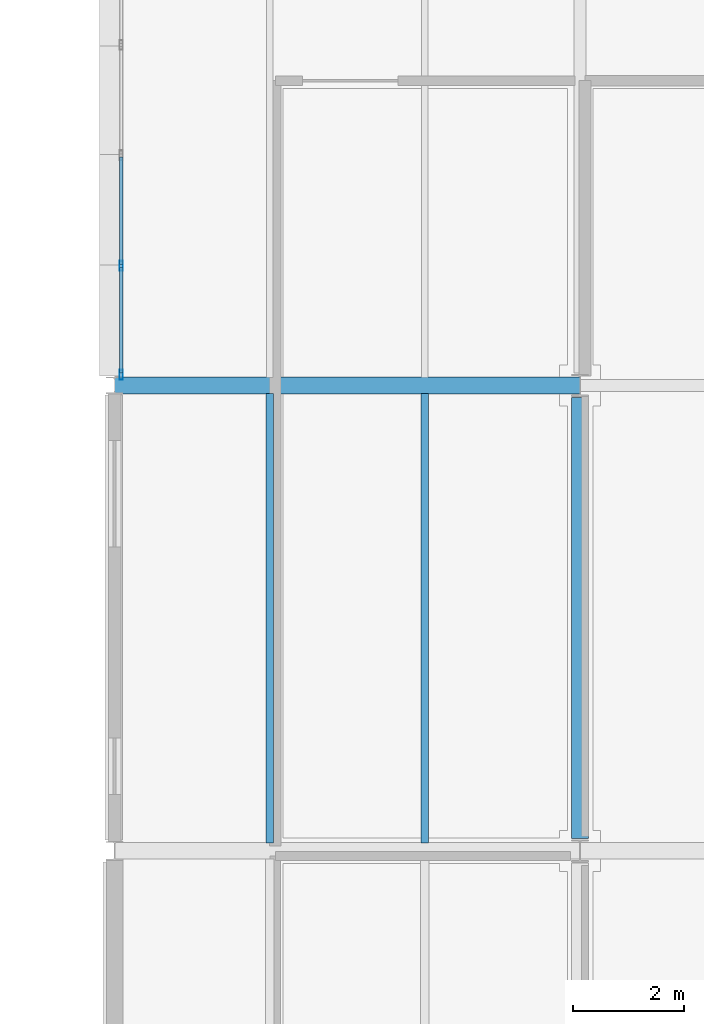
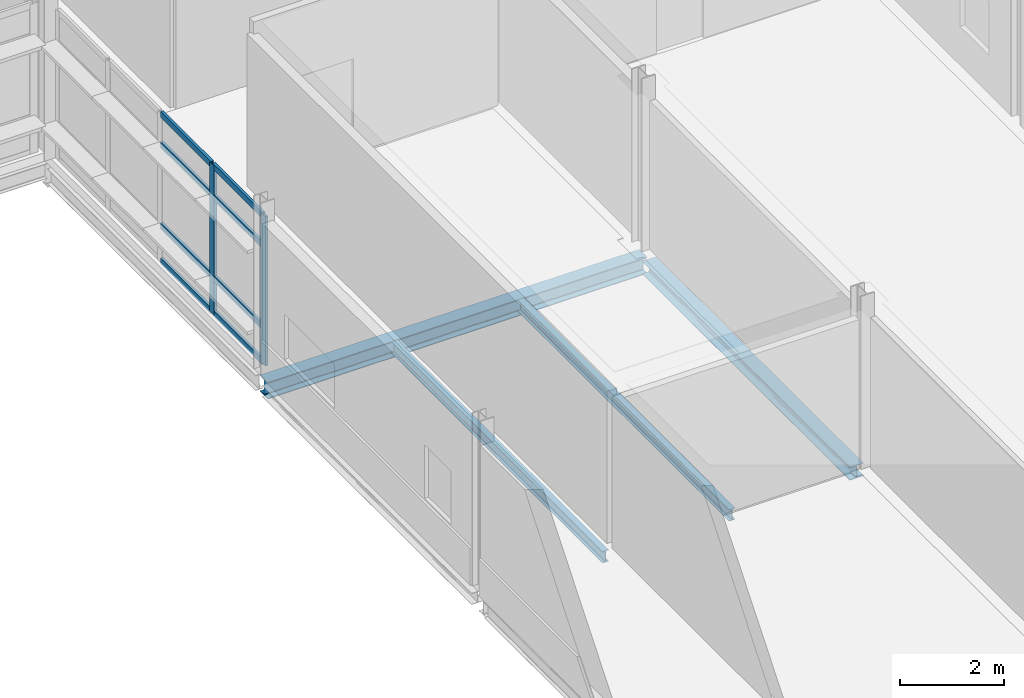
# One storey, part 85 of 131: 10 members, 4 beams, 1 element without a shape of its own.
"""IFC4 building model written with IfcOpenShell, lengths in metres."""

from ifc_helpers import new_model, si_unit, direction, frame, origin, origin_2d, place, context, subcontext, project, spatial, hollow_rectangle, i_section, extrude, material, material_profile, profile_set, type_object, element, aggregate, save


model = new_model("IFC4")

# Units and contexts
model_context = context("Model", 3, precision=1e-05, world=origin(), true_north=direction((0.0, 1.0)))
body_context = subcontext(model_context, "Body", "Model", "MODEL_VIEW")
ifc_project = project(units=[si_unit("LENGTHUNIT", "METRE"), si_unit("AREAUNIT", "SQUARE_METRE"), si_unit("VOLUMEUNIT", "CUBIC_METRE"), si_unit("PLANEANGLEUNIT", "RADIAN"), si_unit("MASSUNIT", "GRAM", prefix="KILO")], contexts=[model_context])

# Site, building, storey
site_placement = place(None, origin())
site = spatial("IfcSite", under=ifc_project, at=site_placement, CompositionType="ELEMENT")
building_placement = place(site_placement, origin())
building = spatial("IfcBuilding", under=site, at=building_placement, Name="Mersafa Astral City Hall", CompositionType="ELEMENT")
storey_placement = place(building_placement, frame((0.0, 0.0, 13.949951171875)))
storey = spatial("IfcBuildingStorey", under=building, at=storey_placement, Name="L03", CompositionType="ELEMENT", Elevation=13.949951171875)

# Curtain wall, members
ifc_material_1 = material(Name="Anodised bronze aluminium framing", Category="aluminium")
curtain_wall_type = type_object("IfcCurtainWallType", Name="ENV-CW-2", PredefinedType="USERDEFINED", material=ifc_material_1)
curtain_wall_placement = place(storey_placement, origin())
curtain_wall = element("IfcCurtainWall", 1, at=curtain_wall_placement, inside=storey, type_object=curtain_wall_type, Name="L03 Unitised solar curtain wall 163", ObjectType="UNITISED CURTAIN WALL", PredefinedType="USERDEFINED")
ifc_material_profile_1 = material_profile(ifc_material_1, hollow_rectangle(XDim=0.06005859375, YDim=0.179931640625, WallThickness=0.00390625, at=origin_2d()), Name="RHS 60x180x4")
ifc_profile_set_1 = profile_set([ifc_material_profile_1], Name="Anodised bronze aluminium framing")
member_type_1 = type_object("IfcMemberType", Name="ENV-CW-MUL-1", PredefinedType="MULLION", material=ifc_profile_set_1)
member_1_placement = place(storey_placement, frame((159.719970703125, 94.555908203125, -0.001953125), z_axis=(0.0, 0.0, 1.0), x_axis=(1.0, 0.0, 0.0)))
member_1 = element("IfcMember", 2, at=member_1_placement, type_object=member_type_1, Name="CW-2 mullion 4", PredefinedType="MULLION", context=body_context, shape_type="SweptSolid", body=[
    extrude(hollow_rectangle(XDim=0.06005859375, YDim=0.179931640625, WallThickness=0.00390625, at=origin_2d()), origin(), (0.0, 0.0, 1.0), 3.489013671875),
])
member_2_placement = place(storey_placement, frame((159.719970703125, 92.592041015625, -0.001953125), z_axis=(0.0, 0.0, 1.0), x_axis=(1.0, 0.0, 0.0)))
member_2 = element("IfcMember", 3, at=member_2_placement, type_object=member_type_1, Name="CW-2 mullion 5", PredefinedType="MULLION", context=body_context, shape_type="SweptSolid", body=[
    extrude(hollow_rectangle(XDim=0.06005859375, YDim=0.179931640625, WallThickness=0.00390625, at=origin_2d()), origin(), (0.0, 0.0, 1.0), 3.489013671875),
])
ifc_material_profile_2 = material_profile(ifc_material_1, hollow_rectangle(XDim=0.06005859375, YDim=0.139892578125, WallThickness=0.00390625, at=origin_2d()), Name="RHS 60x140x4")
ifc_profile_set_2 = profile_set([ifc_material_profile_2], Name="Anodised bronze aluminium framing")
member_type_2 = type_object("IfcMemberType", Name="ENV-CW-TRN-1", PredefinedType="USERDEFINED", material=ifc_profile_set_2)
member_3_placement = place(storey_placement, frame((159.719970703125, 96.52001953125, 0.028076171875), z_axis=(0.0, -1.0, 0.0), x_axis=(1.0, 0.0, 0.0)))
member_3 = element("IfcMember", 4, at=member_3_placement, type_object=member_type_2, Name="CW-2 transom 3.1", ObjectType="TRANSOM", PredefinedType="USERDEFINED", context=body_context, shape_type="SweptSolid", body=[
    extrude(hollow_rectangle(XDim=0.06005859375, YDim=0.139892578125, WallThickness=0.00390625, at=origin_2d()), origin(), (0.0, 0.0, 1.0), 1.93408203125),
])
member_4_placement = place(storey_placement, frame((159.719970703125, 96.52001953125, 0.85009765625), z_axis=(0.0, -1.0, 0.0), x_axis=(1.0, 0.0, 0.0)))
member_4 = element("IfcMember", 5, at=member_4_placement, type_object=member_type_2, Name="CW-2 transom 3.2", ObjectType="TRANSOM", PredefinedType="USERDEFINED", context=body_context, shape_type="SweptSolid", body=[
    extrude(hollow_rectangle(XDim=0.06005859375, YDim=0.139892578125, WallThickness=0.00390625, at=origin_2d()), origin(), (0.0, 0.0, 1.0), 1.93408203125),
])
member_5_placement = place(storey_placement, frame((159.719970703125, 96.52001953125, 2.75), z_axis=(0.0, -1.0, 0.0), x_axis=(1.0, 0.0, 0.0)))
member_5 = element("IfcMember", 6, at=member_5_placement, type_object=member_type_2, Name="CW-2 transom 3.3", ObjectType="TRANSOM", PredefinedType="USERDEFINED", context=body_context, shape_type="SweptSolid", body=[
    extrude(hollow_rectangle(XDim=0.06005859375, YDim=0.139892578125, WallThickness=0.00390625, at=origin_2d()), origin(), (0.0, 0.0, 1.0), 1.93408203125),
])
member_6_placement = place(storey_placement, frame((159.719970703125, 96.52001953125, 3.45703125), z_axis=(0.0, -1.0, 0.0), x_axis=(1.0, 0.0, 0.0)))
member_6 = element("IfcMember", 7, at=member_6_placement, type_object=member_type_2, Name="CW-2 transom 3.4", ObjectType="TRANSOM", PredefinedType="USERDEFINED", context=body_context, shape_type="SweptSolid", body=[
    extrude(hollow_rectangle(XDim=0.06005859375, YDim=0.139892578125, WallThickness=0.00390625, at=origin_2d()), origin(), (0.0, 0.0, 1.0), 1.93408203125),
])
member_7_placement = place(storey_placement, frame((159.719970703125, 94.52587890625, 0.028076171875), z_axis=(0.0, -1.0, 0.0), x_axis=(1.0, 0.0, 0.0)))
member_7 = element("IfcMember", 8, at=member_7_placement, type_object=member_type_2, Name="CW-2 transom 4.1", ObjectType="TRANSOM", PredefinedType="USERDEFINED", context=body_context, shape_type="SweptSolid", body=[
    extrude(hollow_rectangle(XDim=0.06005859375, YDim=0.139892578125, WallThickness=0.00390625, at=origin_2d()), origin(), (0.0, 0.0, 1.0), 1.90380859375),
])
member_8_placement = place(storey_placement, frame((159.719970703125, 94.52587890625, 0.85009765625), z_axis=(0.0, -1.0, 0.0), x_axis=(1.0, 0.0, 0.0)))
member_8 = element("IfcMember", 9, at=member_8_placement, type_object=member_type_2, Name="CW-2 transom 4.2", ObjectType="TRANSOM", PredefinedType="USERDEFINED", context=body_context, shape_type="SweptSolid", body=[
    extrude(hollow_rectangle(XDim=0.06005859375, YDim=0.139892578125, WallThickness=0.00390625, at=origin_2d()), origin(), (0.0, 0.0, 1.0), 1.90380859375),
])
member_9_placement = place(storey_placement, frame((159.719970703125, 94.52587890625, 2.75), z_axis=(0.0, -1.0, 0.0), x_axis=(1.0, 0.0, 0.0)))
member_9 = element("IfcMember", 10, at=member_9_placement, type_object=member_type_2, Name="CW-2 transom 4.3", ObjectType="TRANSOM", PredefinedType="USERDEFINED", context=body_context, shape_type="SweptSolid", body=[
    extrude(hollow_rectangle(XDim=0.06005859375, YDim=0.139892578125, WallThickness=0.00390625, at=origin_2d()), origin(), (0.0, 0.0, 1.0), 1.90380859375),
])
member_10_placement = place(storey_placement, frame((159.719970703125, 94.52587890625, 3.45703125), z_axis=(0.0, -1.0, 0.0), x_axis=(1.0, 0.0, 0.0)))
member_10 = element("IfcMember", 11, at=member_10_placement, type_object=member_type_2, Name="CW-2 transom 4.4", ObjectType="TRANSOM", PredefinedType="USERDEFINED", context=body_context, shape_type="SweptSolid", body=[
    extrude(hollow_rectangle(XDim=0.06005859375, YDim=0.139892578125, WallThickness=0.00390625, at=origin_2d()), origin(), (0.0, 0.0, 1.0), 1.90380859375),
])
aggregate(curtain_wall, [member_1, member_2, member_3, member_4, member_5, member_6, member_7, member_8, member_9, member_10])

# Beams
ifc_material_2 = material(Name="Steel S355", Category="steel")
ifc_material_profile_3 = material_profile(ifc_material_2, i_section(OverallWidth=0.300048828125, OverallDepth=0.31005859375, WebThickness=0.009033203125, FlangeThickness=0.015380859375, FilletRadius=0.027099609375, at=origin_2d()), Name="HEA 320")
ifc_profile_set_3 = profile_set([ifc_material_profile_3], Name="Steel S355")
beam_type_1 = type_object("IfcBeamType", Name="STR-BM-HEA320", PredefinedType="BEAM", material=ifc_profile_set_3)
beam_1_placement = place(storey_placement, frame((168.0, 84.219970703125, -0.35498046875), z_axis=(0.0, 1.0, 0.0), x_axis=(-1.0, 0.0, 0.0)))
element("IfcBeam", 12, at=beam_1_placement, inside=storey, type_object=beam_type_1, Name="L03 Primary girder Y 20-10", PredefinedType="BEAM", context=body_context, shape_type="SweptSolid", body=[
    extrude(i_section(OverallWidth=0.300048828125, OverallDepth=0.31005859375, WebThickness=0.009033203125, FlangeThickness=0.015380859375, FilletRadius=0.027099609375, at=origin_2d()), origin(), (0.0, 0.0, 1.0), 7.9599609375),
])
ifc_material_profile_4 = material_profile(ifc_material_2, i_section(OverallWidth=0.300048828125, OverallDepth=0.389892578125, WebThickness=0.010986328125, FlangeThickness=0.01904296875, FilletRadius=0.027099609375, at=origin_2d()), Name="HEA 400")
ifc_profile_set_4 = profile_set([ifc_material_profile_4], Name="Steel S355")
beam_type_2 = type_object("IfcBeamType", Name="STR-BM-HEA400", PredefinedType="BEAM", material=ifc_profile_set_4)
beam_2_placement = place(storey_placement, frame((159.60302734375, 92.39990234375, -0.39501953125), z_axis=(1.0, 0.0, 0.0), x_axis=(0.0, 1.0, 0.0)))
element("IfcBeam", 13, at=beam_2_placement, inside=storey, type_object=beam_type_2, Name="L03 Primary girder X 19-11", PredefinedType="BEAM", context=body_context, shape_type="SweptSolid", body=[
    extrude(i_section(OverallWidth=0.300048828125, OverallDepth=0.389892578125, WebThickness=0.010986328125, FlangeThickness=0.01904296875, FilletRadius=0.027099609375, at=origin_2d()), origin(), (0.0, 0.0, 1.0), 8.39404296875),
])
ifc_material_profile_5 = material_profile(ifc_material_2, i_section(OverallWidth=0.135009765625, OverallDepth=0.27001953125, WebThickness=0.006591796875, FlangeThickness=0.01025390625, FilletRadius=0.014892578125, at=origin_2d()), Name="IPE 270")
ifc_profile_set_5 = profile_set([ifc_material_profile_5], Name="Steel S355")
beam_type_3 = type_object("IfcBeamType", Name="STR-BM-JOIST-IPE270", PredefinedType="JOIST", material=ifc_profile_set_5)
for number, where, z_axis, x_axis, name in (
    (14, (162.39990234375, 84.14501953125, -0.3349609375), (0.0, 1.0, 0.0), (-1.0, 0.0, 0.0), "L03 Composite secondary floor joist 660"),
    (15, (165.199951171875, 84.14501953125, -0.3349609375), (0.0, 1.0, 0.0), (-1.0, 0.0, 0.0), "L03 Composite secondary floor joist 661"),
):
    element("IfcBeam", number, at=place(storey_placement, frame(where, z_axis=z_axis, x_axis=x_axis)), inside=storey, type_object=beam_type_3, Name=name, PredefinedType="JOIST", context=body_context, shape_type="SweptSolid", body=[
        extrude(i_section(OverallWidth=0.135009765625, OverallDepth=0.27001953125, WebThickness=0.006591796875, FlangeThickness=0.01025390625, FilletRadius=0.014892578125, at=origin_2d()), origin(), (0.0, 0.0, 1.0), 8.10986328125),
    ])

save(model, "model.ifc")
